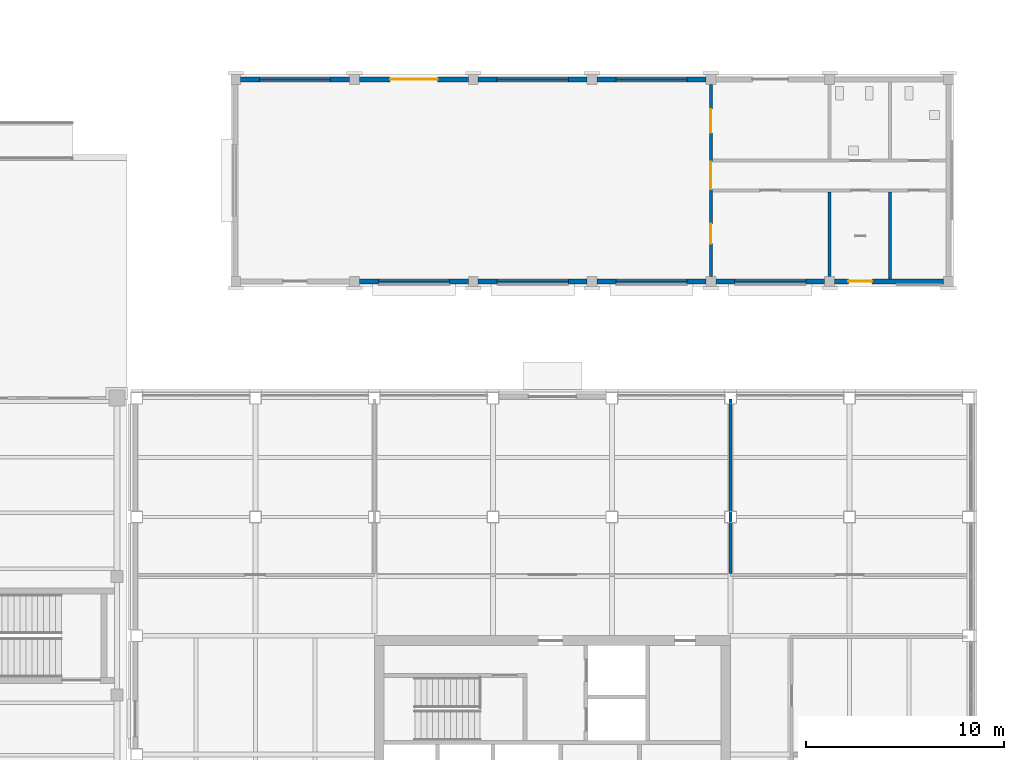
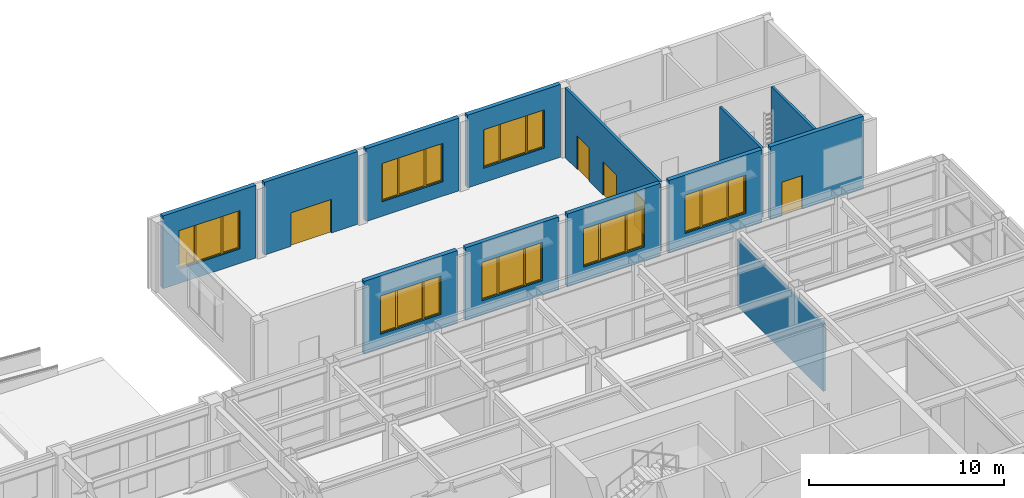
# One storey, part 52 of 77: 13 walls, 7 windows, 5 doors, 12 openings.
"""IFC4 building model written with IfcOpenShell, lengths in metres."""

from ifc_helpers import new_model, si_unit, direction, frame, frame_2d, origin, place, context, subcontext, project, spatial, polyline, rectangle, outline, extrude, material, layer, layer_set, type_object, element, fill, save


model = new_model("IFC4")

# Units and contexts
model_context = context("Model", 3, precision=1e-05, world=origin(), true_north=direction((0.0, 1.0)))
body_context = subcontext(model_context, "Body", "Model", "MODEL_VIEW")
ifc_project = project(units=[si_unit("LENGTHUNIT", "METRE"), si_unit("AREAUNIT", "SQUARE_METRE"), si_unit("VOLUMEUNIT", "CUBIC_METRE"), si_unit("PLANEANGLEUNIT", "RADIAN"), si_unit("MASSUNIT", "GRAM", prefix="KILO")], contexts=[model_context])

# Site, building, storey
site_placement = place(None, origin())
site = spatial("IfcSite", under=ifc_project, at=site_placement, CompositionType="ELEMENT")
building_placement = place(site_placement, origin())
building = spatial("IfcBuilding", under=site, at=building_placement, Name="Aravalli Gate Trade Fair Centre", CompositionType="ELEMENT")
storey_placement = place(building_placement, origin())
storey = spatial("IfcBuildingStorey", under=building, at=storey_placement, Name="L00", CompositionType="ELEMENT", Elevation=0.0)

# Wall, openings, doors
ifc_material_1 = material(Name="Blockwork with fire-rated lining", Category="masonry")
ifc_layer_1 = layer(ifc_material_1, 0.14990234375)
ifc_layer_set_1 = layer_set([ifc_layer_1], Name="Blockwork with fire-rated lining")
wall_type_1 = type_object("IfcWallType", Name="Wing partition 150 (EI 120, compartment wall)", PredefinedType="PARTITIONING", material=ifc_layer_set_1)
wall_1_placement = place(storey_placement, frame((189.0, 139.14990234375, 0.0), z_axis=(0.0, 0.0, 1.0), x_axis=(0.0, 1.0, 0.0)))
wall_1 = element("IfcWall", 1, at=wall_1_placement, inside=storey, type_object=wall_type_1, Name="Partition cafe", PredefinedType="PARTITIONING", context=body_context, shape_type="SweptSolid", body=[
    extrude(rectangle(XDim=9.7001953125, YDim=0.14990234375, at=frame_2d((4.85009765625, 0.0))), origin(), (0.0, 0.0, 1.0), 4.35009765625),
])
opening_1_placement = place(wall_1_placement, frame((4.39990234375, 0.0, 0.0)))
opening_1 = element("IfcOpeningElement", 2, at=opening_1_placement, cuts=wall_1, Name="Opening T-L00-210", PredefinedType="OPENING", context=body_context, shape_type="SweptSolid", body=[
    extrude(rectangle(XDim=1.39990234375, YDim=2.10009765625, at=frame_2d((0.699951171875, 1.050048828125))), frame((0.0, 0.0849609375, 0.0), z_axis=(0.0, -1.0, 0.0), x_axis=(1.0, 0.0, 0.0)), (0.0, 0.0, 1.0), 0.169921875),
])
opening_2_placement = place(wall_1_placement, frame((1.64990234375, 0.0, 0.0)))
opening_2 = element("IfcOpeningElement", 3, at=opening_2_placement, cuts=wall_1, Name="Opening T-L00-211", PredefinedType="OPENING", context=body_context, shape_type="SweptSolid", body=[
    extrude(rectangle(XDim=1.0, YDim=2.10009765625, at=frame_2d((0.5, 1.050048828125))), frame((0.0, 0.0849609375, 0.0), z_axis=(0.0, -1.0, 0.0), x_axis=(1.0, 0.0, 0.0)), (0.0, 0.0, 1.0), 0.169921875),
])
opening_3_placement = place(wall_1_placement, frame((7.25, 0.0, 0.0)))
opening_3 = element("IfcOpeningElement", 4, at=opening_3_placement, cuts=wall_1, Name="Opening T-L00-212", PredefinedType="OPENING", context=body_context, shape_type="SweptSolid", body=[
    extrude(rectangle(XDim=1.199951171875, YDim=2.10009765625, at=frame_2d((0.60009765625, 1.050048828125))), frame((0.0, 0.0849609375, 0.0), z_axis=(0.0, -1.0, 0.0), x_axis=(1.0, 0.0, 0.0)), (0.0, 0.0, 1.0), 0.169921875),
])
ifc_material_2 = material(Name="Timber and steel", Category="steel")
door_type_1 = type_object("IfcDoorType", Name="Wing door 1200 x 2100", OperationType="SINGLE_SWING_LEFT", PredefinedType="DOOR", material=ifc_material_2)
door_1_placement = place(opening_3_placement, origin())
door_1 = element("IfcDoor", 5, at=door_1_placement, inside=storey, type_object=door_type_1, Name="Information door T-L00-212", OperationType="SINGLE_SWING_RIGHT", OverallHeight=2.10009765625, OverallWidth=1.199951171875, PredefinedType="DOOR", context=body_context, shape_type="SweptSolid", body=[
    extrude(rectangle(XDim=1.199951171875, YDim=2.10009765625, at=frame_2d((0.60009765625, 1.050048828125))), frame((0.0, 0.02490234375, 0.0), z_axis=(0.0, -1.0, 0.0), x_axis=(1.0, 0.0, 0.0)), (0.0, 0.0, 1.0), 0.050048828125),
])
fill(opening_3, door_1)
ifc_material_3 = material(Name="Steel, fire rated", Category="steel")
door_type_2 = type_object("IfcDoorType", Name="Wing fire door FD120 1000 x 2100", OperationType="SINGLE_SWING_LEFT", PredefinedType="DOOR", material=ifc_material_3)
door_2_placement = place(opening_2_placement, frame((1.0, 0.0, 0.0), z_axis=(0.0, 0.0, 1.0), x_axis=(-1.0, 0.0, 0.0)))
door_2 = element("IfcDoor", 6, at=door_2_placement, inside=storey, type_object=door_type_2, Name="Kitchen door T-L00-211", OperationType="SINGLE_SWING_LEFT", OverallHeight=2.10009765625, OverallWidth=1.0, PredefinedType="DOOR", context=body_context, shape_type="SweptSolid", body=[
    extrude(rectangle(XDim=1.0, YDim=2.10009765625, at=frame_2d((0.5, 1.050048828125))), frame((0.0, 0.02490234375, 0.0), z_axis=(0.0, -1.0, 0.0), x_axis=(1.0, 0.0, 0.0)), (0.0, 0.0, 1.0), 0.050048828125),
])
fill(opening_2, door_2)
door_type_3 = type_object("IfcDoorType", Name="Wing fire door FD120 1400 x 2100", OperationType="DOUBLE_DOOR_SINGLE_SWING", PredefinedType="DOOR", material=ifc_material_3)
door_3_placement = place(opening_1_placement, origin())
door_3 = element("IfcDoor", 7, at=door_3_placement, inside=storey, type_object=door_type_3, Name="Corridor door T-L00-210", OperationType="DOUBLE_DOOR_SINGLE_SWING", OverallHeight=2.10009765625, OverallWidth=1.39990234375, PredefinedType="DOOR", context=body_context, shape_type="SweptSolid", body=[
    extrude(rectangle(XDim=1.39990234375, YDim=2.10009765625, at=frame_2d((0.699951171875, 1.050048828125))), frame((0.0, 0.02490234375, 0.0), z_axis=(0.0, -1.0, 0.0), x_axis=(1.0, 0.0, 0.0)), (0.0, 0.0, 1.0), 0.050048828125),
])
fill(opening_1, door_3)

# Walls
wall_2_placement = place(storey_placement, frame((195.0, 139.14990234375, 0.0), z_axis=(0.0, 0.0, 1.0), x_axis=(0.0, 1.0, 0.0)))
element("IfcWall", 8, at=wall_2_placement, inside=storey, type_object=wall_type_1, Name="Partition ks", PredefinedType="PARTITIONING", context=body_context, shape_type="SweptSolid", body=[
    extrude(rectangle(XDim=4.275146484375, YDim=0.14990234375, at=frame_2d((2.1376953125, 0.0))), origin(), (0.0, 0.0, 1.0), 4.35009765625),
])
ifc_layer_2 = layer(ifc_material_1, 0.14990234375)
ifc_layer_set_2 = layer_set([ifc_layer_2], Name="Blockwork with fire-rated lining")
wall_type_2 = type_object("IfcWallType", Name="Wing partition 150 (EI 120, plant room)", PredefinedType="PARTITIONING", material=ifc_layer_set_2)
wall_3_placement = place(storey_placement, frame((198.050048828125, 139.02490234375, 0.0), z_axis=(0.0, 0.0, 1.0), x_axis=(0.0, 1.0, 0.0)))
element("IfcWall", 9, at=wall_3_placement, inside=storey, type_object=wall_type_2, Name="Partition sp", PredefinedType="PARTITIONING", context=body_context, shape_type="SweptSolid", body=[
    extrude(rectangle(XDim=4.400146484375, YDim=0.14990234375, at=frame_2d((2.2001953125, 0.0))), origin(), (0.0, 0.0, 1.0), 4.550048828125),
])
ifc_layer_3 = layer(ifc_material_1, 0.14990234375)
ifc_layer_set_3 = layer_set([ifc_layer_3], Name="Blockwork with fire-rated lining")
wall_type_3 = type_object("IfcWallType", Name="Wing partition 150 (EI 60, corridor wall)", PredefinedType="PARTITIONING", material=ifc_layer_set_3)
wall_4_placement = place(storey_placement, frame((190.0, 124.14990234375, 0.0), z_axis=(0.0, 0.0, 1.0), x_axis=(0.0, 1.0, 0.0)))
element("IfcWall", 10, at=wall_4_placement, inside=storey, type_object=wall_type_3, Name="Partition NP2 L00", PredefinedType="PARTITIONING", context=body_context, shape_type="SweptSolid", body=[
    extrude(rectangle(XDim=8.800048828125, YDim=0.14990234375, at=frame_2d((4.39990234375, 0.0))), origin(), (0.0, 0.0, 1.0), 4.199951171875),
])

# Wall, opening, window
ifc_material_4 = material(Name="Concrete block masonry", Category="masonry")
ifc_layer_4 = layer(ifc_material_4, 0.2099609375, Name="Block masonry")
ifc_material_5 = material(Name="Terracotta cladding", Category="masonry")
ifc_layer_5 = layer(ifc_material_5, 0.0400390625, Name="Terracotta cladding")
ifc_layer_set_4 = layer_set([ifc_layer_4, ifc_layer_5], Name="Wing terracotta clad infill wall 250")
wall_type_4 = type_object("IfcWallType", Name="Wing terracotta clad infill wall 250", PredefinedType="SOLIDWALL", material=ifc_layer_set_4)
wall_5_placement = place(storey_placement, frame((171.25, 138.89990234375, 0.0), z_axis=(0.0, 0.0, 1.0), x_axis=(1.0, 0.0, 0.0)))
wall_5 = element("IfcWall", 11, at=wall_5_placement, inside=storey, type_object=wall_type_4, Name="Pavilion wall S2", PredefinedType="SOLIDWALL", context=body_context, shape_type="SweptSolid", body=[
    extrude(rectangle(XDim=5.5, YDim=0.25, at=frame_2d((2.75, 0.0))), origin(), (0.0, 0.0, 1.0), 4.550048828125),
])
opening_4_placement = place(wall_5_placement, frame((0.949951171875, 0.0, 0.89990234375)))
opening_4 = element("IfcOpeningElement", 12, at=opening_4_placement, cuts=wall_5, Name="Opening TWN1", PredefinedType="OPENING", context=body_context, shape_type="SweptSolid", body=[
    extrude(rectangle(XDim=3.60009765625, YDim=2.39990234375, at=frame_2d((1.800048828125, 1.199951171875))), frame((0.0, 0.135009765625, 0.0), z_axis=(0.0, -1.0, 0.0), x_axis=(1.0, 0.0, 0.0)), (0.0, 0.0, 1.0), 0.27001953125),
])
ifc_material_6 = material(Name="Aluminium and glass", Category="aluminium")
window_type = type_object("IfcWindowType", Name="Wing chicago window 3600 x 2400", PartitioningType="TRIPLE_PANEL_VERTICAL", PredefinedType="WINDOW", material=ifc_material_6)
window_1_placement = place(opening_4_placement, origin())
window_1 = element("IfcWindow", 13, at=window_1_placement, inside=storey, type_object=window_type, Name="Pavilion window S2", OverallHeight=2.39990234375, OverallWidth=3.60009765625, PartitioningType="TRIPLE_PANEL_VERTICAL", PredefinedType="WINDOW", context=body_context, shape_type="SweptSolid", body=[
    extrude(outline(polyline([(0.0, 0.0), (3.60009765625, 0.0), (3.60009765625, 2.39990234375), (0.0, 2.39990234375), (0.0, 0.0)]), holes=[polyline([(0.06005859375, 0.06005859375), (0.9599609375, 0.06005859375), (0.9599609375, 2.33984375), (0.06005859375, 2.33984375), (0.06005859375, 0.06005859375)]), polyline([(1.06005859375, 0.06005859375), (2.539794921875, 0.06005859375), (2.539794921875, 2.33984375), (1.06005859375, 2.33984375), (1.06005859375, 0.06005859375)]), polyline([(2.639892578125, 0.06005859375), (3.539794921875, 0.06005859375), (3.539794921875, 2.33984375), (2.639892578125, 2.33984375), (2.639892578125, 0.06005859375)])]), frame((0.0, 0.030029296875, 0.0), z_axis=(0.0, -1.0, 0.0), x_axis=(1.0, 0.0, 0.0)), (0.0, 0.0, 1.0), 0.06005859375),
    extrude(rectangle(XDim=0.923828125, YDim=2.3037109375, at=frame_2d((0.510009765625, 1.199951171875))), frame((0.0, 0.010009765625, 0.0), z_axis=(0.0, -1.0, 0.0), x_axis=(1.0, 0.0, 0.0)), (0.0, 0.0, 1.0), 0.02001953125),
    extrude(rectangle(XDim=1.503662109375, YDim=2.3037109375, at=frame_2d((1.7998046875, 1.199951171875))), frame((0.0, 0.010009765625, 0.0), z_axis=(0.0, -1.0, 0.0), x_axis=(1.0, 0.0, 0.0)), (0.0, 0.0, 1.0), 0.02001953125),
    extrude(rectangle(XDim=0.923828125, YDim=2.3037109375, at=frame_2d((3.08984375, 1.199951171875))), frame((0.0, 0.010009765625, 0.0), z_axis=(0.0, -1.0, 0.0), x_axis=(1.0, 0.0, 0.0)), (0.0, 0.0, 1.0), 0.02001953125),
])
fill(opening_4, window_1)

wall_6_placement = place(storey_placement, frame((177.25, 138.89990234375, 0.0), z_axis=(0.0, 0.0, 1.0), x_axis=(1.0, 0.0, 0.0)))
wall_6 = element("IfcWall", 14, at=wall_6_placement, inside=storey, type_object=wall_type_4, Name="Pavilion wall S3", PredefinedType="SOLIDWALL", context=body_context, shape_type="SweptSolid", body=[
    extrude(rectangle(XDim=5.5, YDim=0.25, at=frame_2d((2.75, 0.0))), origin(), (0.0, 0.0, 1.0), 4.550048828125),
])
opening_5_placement = place(wall_6_placement, frame((0.949951171875, 0.0, 0.89990234375)))
opening_5 = element("IfcOpeningElement", 15, at=opening_5_placement, cuts=wall_6, Name="Opening TWN1", PredefinedType="OPENING", context=body_context, shape_type="SweptSolid", body=[
    extrude(rectangle(XDim=3.60009765625, YDim=2.39990234375, at=frame_2d((1.800048828125, 1.199951171875))), frame((0.0, 0.135009765625, 0.0), z_axis=(0.0, -1.0, 0.0), x_axis=(1.0, 0.0, 0.0)), (0.0, 0.0, 1.0), 0.27001953125),
])
window_2_placement = place(opening_5_placement, origin())
window_2 = element("IfcWindow", 16, at=window_2_placement, inside=storey, type_object=window_type, Name="Pavilion window S3", OverallHeight=2.39990234375, OverallWidth=3.60009765625, PartitioningType="TRIPLE_PANEL_VERTICAL", PredefinedType="WINDOW", context=body_context, shape_type="SweptSolid", body=[
    extrude(outline(polyline([(0.0, 0.0), (3.60009765625, 0.0), (3.60009765625, 2.39990234375), (0.0, 2.39990234375), (0.0, 0.0)]), holes=[polyline([(0.06005859375, 0.06005859375), (0.9599609375, 0.06005859375), (0.9599609375, 2.33984375), (0.06005859375, 2.33984375), (0.06005859375, 0.06005859375)]), polyline([(1.06005859375, 0.06005859375), (2.539794921875, 0.06005859375), (2.539794921875, 2.33984375), (1.06005859375, 2.33984375), (1.06005859375, 0.06005859375)]), polyline([(2.639892578125, 0.06005859375), (3.539794921875, 0.06005859375), (3.539794921875, 2.33984375), (2.639892578125, 2.33984375), (2.639892578125, 0.06005859375)])]), frame((0.0, 0.030029296875, 0.0), z_axis=(0.0, -1.0, 0.0), x_axis=(1.0, 0.0, 0.0)), (0.0, 0.0, 1.0), 0.06005859375),
    extrude(rectangle(XDim=0.923828125, YDim=2.3037109375, at=frame_2d((0.510009765625, 1.199951171875))), frame((0.0, 0.010009765625, 0.0), z_axis=(0.0, -1.0, 0.0), x_axis=(1.0, 0.0, 0.0)), (0.0, 0.0, 1.0), 0.02001953125),
    extrude(rectangle(XDim=1.503662109375, YDim=2.3037109375, at=frame_2d((1.7998046875, 1.199951171875))), frame((0.0, 0.010009765625, 0.0), z_axis=(0.0, -1.0, 0.0), x_axis=(1.0, 0.0, 0.0)), (0.0, 0.0, 1.0), 0.02001953125),
    extrude(rectangle(XDim=0.923828125, YDim=2.3037109375, at=frame_2d((3.08984375, 1.199951171875))), frame((0.0, 0.010009765625, 0.0), z_axis=(0.0, -1.0, 0.0), x_axis=(1.0, 0.0, 0.0)), (0.0, 0.0, 1.0), 0.02001953125),
])
fill(opening_5, window_2)

wall_7_placement = place(storey_placement, frame((183.25, 138.89990234375, 0.0), z_axis=(0.0, 0.0, 1.0), x_axis=(1.0, 0.0, 0.0)))
wall_7 = element("IfcWall", 17, at=wall_7_placement, inside=storey, type_object=wall_type_4, Name="Pavilion wall S4", PredefinedType="SOLIDWALL", context=body_context, shape_type="SweptSolid", body=[
    extrude(rectangle(XDim=5.5, YDim=0.25, at=frame_2d((2.75, 0.0))), origin(), (0.0, 0.0, 1.0), 4.550048828125),
])
opening_6_placement = place(wall_7_placement, frame((0.949951171875, 0.0, 0.89990234375)))
opening_6 = element("IfcOpeningElement", 18, at=opening_6_placement, cuts=wall_7, Name="Opening TWN1", PredefinedType="OPENING", context=body_context, shape_type="SweptSolid", body=[
    extrude(rectangle(XDim=3.60009765625, YDim=2.39990234375, at=frame_2d((1.800048828125, 1.199951171875))), frame((0.0, 0.135009765625, 0.0), z_axis=(0.0, -1.0, 0.0), x_axis=(1.0, 0.0, 0.0)), (0.0, 0.0, 1.0), 0.27001953125),
])
window_3_placement = place(opening_6_placement, origin())
window_3 = element("IfcWindow", 19, at=window_3_placement, inside=storey, type_object=window_type, Name="Pavilion window S4", OverallHeight=2.39990234375, OverallWidth=3.60009765625, PartitioningType="TRIPLE_PANEL_VERTICAL", PredefinedType="WINDOW", context=body_context, shape_type="SweptSolid", body=[
    extrude(outline(polyline([(0.0, 0.0), (3.60009765625, 0.0), (3.60009765625, 2.39990234375), (0.0, 2.39990234375), (0.0, 0.0)]), holes=[polyline([(0.06005859375, 0.06005859375), (0.9599609375, 0.06005859375), (0.9599609375, 2.33984375), (0.06005859375, 2.33984375), (0.06005859375, 0.06005859375)]), polyline([(1.06005859375, 0.06005859375), (2.539794921875, 0.06005859375), (2.539794921875, 2.33984375), (1.06005859375, 2.33984375), (1.06005859375, 0.06005859375)]), polyline([(2.639892578125, 0.06005859375), (3.539794921875, 0.06005859375), (3.539794921875, 2.33984375), (2.639892578125, 2.33984375), (2.639892578125, 0.06005859375)])]), frame((0.0, 0.030029296875, 0.0), z_axis=(0.0, -1.0, 0.0), x_axis=(1.0, 0.0, 0.0)), (0.0, 0.0, 1.0), 0.06005859375),
    extrude(rectangle(XDim=0.923828125, YDim=2.3037109375, at=frame_2d((0.510009765625, 1.199951171875))), frame((0.0, 0.010009765625, 0.0), z_axis=(0.0, -1.0, 0.0), x_axis=(1.0, 0.0, 0.0)), (0.0, 0.0, 1.0), 0.02001953125),
    extrude(rectangle(XDim=1.503662109375, YDim=2.3037109375, at=frame_2d((1.7998046875, 1.199951171875))), frame((0.0, 0.010009765625, 0.0), z_axis=(0.0, -1.0, 0.0), x_axis=(1.0, 0.0, 0.0)), (0.0, 0.0, 1.0), 0.02001953125),
    extrude(rectangle(XDim=0.923828125, YDim=2.3037109375, at=frame_2d((3.08984375, 1.199951171875))), frame((0.0, 0.010009765625, 0.0), z_axis=(0.0, -1.0, 0.0), x_axis=(1.0, 0.0, 0.0)), (0.0, 0.0, 1.0), 0.02001953125),
])
fill(opening_6, window_3)

wall_8_placement = place(storey_placement, frame((189.25, 138.89990234375, 0.0), z_axis=(0.0, 0.0, 1.0), x_axis=(1.0, 0.0, 0.0)))
wall_8 = element("IfcWall", 20, at=wall_8_placement, inside=storey, type_object=wall_type_4, Name="Pavilion wall S5", PredefinedType="SOLIDWALL", context=body_context, shape_type="SweptSolid", body=[
    extrude(rectangle(XDim=5.5, YDim=0.25, at=frame_2d((2.75, 0.0))), origin(), (0.0, 0.0, 1.0), 4.550048828125),
])
opening_7_placement = place(wall_8_placement, frame((0.949951171875, 0.0, 0.89990234375)))
opening_7 = element("IfcOpeningElement", 21, at=opening_7_placement, cuts=wall_8, Name="Opening TWN1", PredefinedType="OPENING", context=body_context, shape_type="SweptSolid", body=[
    extrude(rectangle(XDim=3.60009765625, YDim=2.39990234375, at=frame_2d((1.800048828125, 1.199951171875))), frame((0.0, 0.135009765625, 0.0), z_axis=(0.0, -1.0, 0.0), x_axis=(1.0, 0.0, 0.0)), (0.0, 0.0, 1.0), 0.27001953125),
])
window_4_placement = place(opening_7_placement, origin())
window_4 = element("IfcWindow", 22, at=window_4_placement, inside=storey, type_object=window_type, Name="Pavilion window S5", OverallHeight=2.39990234375, OverallWidth=3.60009765625, PartitioningType="TRIPLE_PANEL_VERTICAL", PredefinedType="WINDOW", context=body_context, shape_type="SweptSolid", body=[
    extrude(outline(polyline([(0.0, 0.0), (3.60009765625, 0.0), (3.60009765625, 2.39990234375), (0.0, 2.39990234375), (0.0, 0.0)]), holes=[polyline([(0.06005859375, 0.06005859375), (0.9599609375, 0.06005859375), (0.9599609375, 2.33984375), (0.06005859375, 2.33984375), (0.06005859375, 0.06005859375)]), polyline([(1.06005859375, 0.06005859375), (2.539794921875, 0.06005859375), (2.539794921875, 2.33984375), (1.06005859375, 2.33984375), (1.06005859375, 0.06005859375)]), polyline([(2.639892578125, 0.06005859375), (3.539794921875, 0.06005859375), (3.539794921875, 2.33984375), (2.639892578125, 2.33984375), (2.639892578125, 0.06005859375)])]), frame((0.0, 0.030029296875, 0.0), z_axis=(0.0, -1.0, 0.0), x_axis=(1.0, 0.0, 0.0)), (0.0, 0.0, 1.0), 0.06005859375),
    extrude(rectangle(XDim=0.923828125, YDim=2.3037109375, at=frame_2d((0.510009765625, 1.199951171875))), frame((0.0, 0.010009765625, 0.0), z_axis=(0.0, -1.0, 0.0), x_axis=(1.0, 0.0, 0.0)), (0.0, 0.0, 1.0), 0.02001953125),
    extrude(rectangle(XDim=1.503662109375, YDim=2.3037109375, at=frame_2d((1.7998046875, 1.199951171875))), frame((0.0, 0.010009765625, 0.0), z_axis=(0.0, -1.0, 0.0), x_axis=(1.0, 0.0, 0.0)), (0.0, 0.0, 1.0), 0.02001953125),
    extrude(rectangle(XDim=0.923828125, YDim=2.3037109375, at=frame_2d((3.08984375, 1.199951171875))), frame((0.0, 0.010009765625, 0.0), z_axis=(0.0, -1.0, 0.0), x_axis=(1.0, 0.0, 0.0)), (0.0, 0.0, 1.0), 0.02001953125),
])
fill(opening_7, window_4)

# Wall, opening, door
wall_9_placement = place(storey_placement, frame((195.25, 138.89990234375, 0.0), z_axis=(0.0, 0.0, 1.0), x_axis=(1.0, 0.0, 0.0)))
wall_9 = element("IfcWall", 23, at=wall_9_placement, inside=storey, type_object=wall_type_4, Name="Pavilion wall S6", PredefinedType="SOLIDWALL", context=body_context, shape_type="SweptSolid", body=[
    extrude(rectangle(XDim=5.5, YDim=0.25, at=frame_2d((2.75, 0.0))), origin(), (0.0, 0.0, 1.0), 4.550048828125),
])
opening_8_placement = place(wall_9_placement, frame((0.699951171875, 0.0, 0.0)))
opening_8 = element("IfcOpeningElement", 24, at=opening_8_placement, cuts=wall_9, Name="Opening T-L00-204", PredefinedType="OPENING", context=body_context, shape_type="SweptSolid", body=[
    extrude(rectangle(XDim=1.199951171875, YDim=2.10009765625, at=frame_2d((0.60009765625, 1.050048828125))), frame((0.0, 0.135009765625, 0.0), z_axis=(0.0, -1.0, 0.0), x_axis=(1.0, 0.0, 0.0)), (0.0, 0.0, 1.0), 0.27001953125),
])
door_4_placement = place(opening_8_placement, frame((1.199951171875, 0.0, 0.0), z_axis=(0.0, 0.0, 1.0), x_axis=(-1.0, 0.0, 0.0)))
door_4 = element("IfcDoor", 25, at=door_4_placement, inside=storey, type_object=door_type_1, Name="Service door T-L00-204", OperationType="SINGLE_SWING_LEFT", OverallHeight=2.10009765625, OverallWidth=1.199951171875, PredefinedType="DOOR", context=body_context, shape_type="SweptSolid", body=[
    extrude(rectangle(XDim=1.199951171875, YDim=2.10009765625, at=frame_2d((0.60009765625, 1.050048828125))), frame((0.0, 0.02490234375, 0.0), z_axis=(0.0, -1.0, 0.0), x_axis=(1.0, 0.0, 0.0)), (0.0, 0.0, 1.0), 0.050048828125),
])
fill(opening_8, door_4)

# Wall, opening, window
wall_10_placement = place(storey_placement, frame((165.25, 149.10009765625, 0.0), z_axis=(0.0, 0.0, 1.0), x_axis=(1.0, 0.0, 0.0)))
wall_10 = element("IfcWall", 26, at=wall_10_placement, inside=storey, type_object=wall_type_4, Name="Pavilion wall N1", PredefinedType="SOLIDWALL", context=body_context, shape_type="SweptSolid", body=[
    extrude(rectangle(XDim=5.5, YDim=0.25, at=frame_2d((2.75, 0.0))), origin(), (0.0, 0.0, 1.0), 4.550048828125),
])
opening_9_placement = place(wall_10_placement, frame((0.949951171875, 0.0, 0.89990234375)))
opening_9 = element("IfcOpeningElement", 27, at=opening_9_placement, cuts=wall_10, Name="Opening TWN1", PredefinedType="OPENING", context=body_context, shape_type="SweptSolid", body=[
    extrude(rectangle(XDim=3.60009765625, YDim=2.39990234375, at=frame_2d((1.800048828125, 1.199951171875))), frame((0.0, 0.135009765625, 0.0), z_axis=(0.0, -1.0, 0.0), x_axis=(1.0, 0.0, 0.0)), (0.0, 0.0, 1.0), 0.27001953125),
])
window_5_placement = place(opening_9_placement, origin())
window_5 = element("IfcWindow", 28, at=window_5_placement, inside=storey, type_object=window_type, Name="Pavilion window N1", OverallHeight=2.39990234375, OverallWidth=3.60009765625, PartitioningType="TRIPLE_PANEL_VERTICAL", PredefinedType="WINDOW", context=body_context, shape_type="SweptSolid", body=[
    extrude(outline(polyline([(0.0, 0.0), (3.60009765625, 0.0), (3.60009765625, 2.39990234375), (0.0, 2.39990234375), (0.0, 0.0)]), holes=[polyline([(0.06005859375, 0.06005859375), (0.9599609375, 0.06005859375), (0.9599609375, 2.33984375), (0.06005859375, 2.33984375), (0.06005859375, 0.06005859375)]), polyline([(1.06005859375, 0.06005859375), (2.539794921875, 0.06005859375), (2.539794921875, 2.33984375), (1.06005859375, 2.33984375), (1.06005859375, 0.06005859375)]), polyline([(2.639892578125, 0.06005859375), (3.539794921875, 0.06005859375), (3.539794921875, 2.33984375), (2.639892578125, 2.33984375), (2.639892578125, 0.06005859375)])]), frame((0.0, 0.030029296875, 0.0), z_axis=(0.0, -1.0, 0.0), x_axis=(1.0, 0.0, 0.0)), (0.0, 0.0, 1.0), 0.06005859375),
    extrude(rectangle(XDim=0.923828125, YDim=2.3037109375, at=frame_2d((0.510009765625, 1.199951171875))), frame((0.0, 0.010009765625, 0.0), z_axis=(0.0, -1.0, 0.0), x_axis=(1.0, 0.0, 0.0)), (0.0, 0.0, 1.0), 0.02001953125),
    extrude(rectangle(XDim=1.503662109375, YDim=2.3037109375, at=frame_2d((1.7998046875, 1.199951171875))), frame((0.0, 0.010009765625, 0.0), z_axis=(0.0, -1.0, 0.0), x_axis=(1.0, 0.0, 0.0)), (0.0, 0.0, 1.0), 0.02001953125),
    extrude(rectangle(XDim=0.923828125, YDim=2.3037109375, at=frame_2d((3.08984375, 1.199951171875))), frame((0.0, 0.010009765625, 0.0), z_axis=(0.0, -1.0, 0.0), x_axis=(1.0, 0.0, 0.0)), (0.0, 0.0, 1.0), 0.02001953125),
])
fill(opening_9, window_5)

# Wall, opening, door
wall_11_placement = place(storey_placement, frame((171.25, 149.10009765625, 0.0), z_axis=(0.0, 0.0, 1.0), x_axis=(1.0, 0.0, 0.0)))
wall_11 = element("IfcWall", 29, at=wall_11_placement, inside=storey, type_object=wall_type_4, Name="Pavilion wall N2", PredefinedType="SOLIDWALL", context=body_context, shape_type="SweptSolid", body=[
    extrude(rectangle(XDim=5.5, YDim=0.25, at=frame_2d((2.75, 0.0))), origin(), (0.0, 0.0, 1.0), 4.550048828125),
])
opening_10_placement = place(wall_11_placement, frame((1.550048828125, 0.0, 0.0)))
opening_10 = element("IfcOpeningElement", 30, at=opening_10_placement, cuts=wall_11, Name="Opening T-L00-201", PredefinedType="OPENING", context=body_context, shape_type="SweptSolid", body=[
    extrude(rectangle(XDim=2.39990234375, YDim=2.10009765625, at=frame_2d((1.199951171875, 1.050048828125))), frame((0.0, 0.135009765625, 0.0), z_axis=(0.0, -1.0, 0.0), x_axis=(1.0, 0.0, 0.0)), (0.0, 0.0, 1.0), 0.27001953125),
])
door_type_4 = type_object("IfcDoorType", Name="Wing glazed entrance door 2400 x 2100", OperationType="DOUBLE_DOOR_SINGLE_SWING", PredefinedType="DOOR", material=ifc_material_6)
door_5_placement = place(opening_10_placement, origin())
door_5 = element("IfcDoor", 31, at=door_5_placement, inside=storey, type_object=door_type_4, Name="Cafe entrance T-L00-201", OperationType="DOUBLE_DOOR_SINGLE_SWING", OverallHeight=2.10009765625, OverallWidth=2.39990234375, PredefinedType="DOOR", context=body_context, shape_type="SweptSolid", body=[
    extrude(rectangle(XDim=2.39990234375, YDim=2.10009765625, at=frame_2d((1.199951171875, 1.050048828125))), frame((0.0, 0.02490234375, 0.0), z_axis=(0.0, -1.0, 0.0), x_axis=(1.0, 0.0, 0.0)), (0.0, 0.0, 1.0), 0.050048828125),
])
fill(opening_10, door_5)

# Wall, opening, window
wall_12_placement = place(storey_placement, frame((177.25, 149.10009765625, 0.0), z_axis=(0.0, 0.0, 1.0), x_axis=(1.0, 0.0, 0.0)))
wall_12 = element("IfcWall", 32, at=wall_12_placement, inside=storey, type_object=wall_type_4, Name="Pavilion wall N3", PredefinedType="SOLIDWALL", context=body_context, shape_type="SweptSolid", body=[
    extrude(rectangle(XDim=5.5, YDim=0.25, at=frame_2d((2.75, 0.0))), origin(), (0.0, 0.0, 1.0), 4.550048828125),
])
opening_11_placement = place(wall_12_placement, frame((0.949951171875, 0.0, 0.89990234375)))
opening_11 = element("IfcOpeningElement", 33, at=opening_11_placement, cuts=wall_12, Name="Opening TWN1", PredefinedType="OPENING", context=body_context, shape_type="SweptSolid", body=[
    extrude(rectangle(XDim=3.60009765625, YDim=2.39990234375, at=frame_2d((1.800048828125, 1.199951171875))), frame((0.0, 0.135009765625, 0.0), z_axis=(0.0, -1.0, 0.0), x_axis=(1.0, 0.0, 0.0)), (0.0, 0.0, 1.0), 0.27001953125),
])
window_6_placement = place(opening_11_placement, origin())
window_6 = element("IfcWindow", 34, at=window_6_placement, inside=storey, type_object=window_type, Name="Pavilion window N3", OverallHeight=2.39990234375, OverallWidth=3.60009765625, PartitioningType="TRIPLE_PANEL_VERTICAL", PredefinedType="WINDOW", context=body_context, shape_type="SweptSolid", body=[
    extrude(outline(polyline([(0.0, 0.0), (3.60009765625, 0.0), (3.60009765625, 2.39990234375), (0.0, 2.39990234375), (0.0, 0.0)]), holes=[polyline([(0.06005859375, 0.06005859375), (0.9599609375, 0.06005859375), (0.9599609375, 2.33984375), (0.06005859375, 2.33984375), (0.06005859375, 0.06005859375)]), polyline([(1.06005859375, 0.06005859375), (2.539794921875, 0.06005859375), (2.539794921875, 2.33984375), (1.06005859375, 2.33984375), (1.06005859375, 0.06005859375)]), polyline([(2.639892578125, 0.06005859375), (3.539794921875, 0.06005859375), (3.539794921875, 2.33984375), (2.639892578125, 2.33984375), (2.639892578125, 0.06005859375)])]), frame((0.0, 0.030029296875, 0.0), z_axis=(0.0, -1.0, 0.0), x_axis=(1.0, 0.0, 0.0)), (0.0, 0.0, 1.0), 0.06005859375),
    extrude(rectangle(XDim=0.923828125, YDim=2.3037109375, at=frame_2d((0.510009765625, 1.199951171875))), frame((0.0, 0.010009765625, 0.0), z_axis=(0.0, -1.0, 0.0), x_axis=(1.0, 0.0, 0.0)), (0.0, 0.0, 1.0), 0.02001953125),
    extrude(rectangle(XDim=1.503662109375, YDim=2.3037109375, at=frame_2d((1.7998046875, 1.199951171875))), frame((0.0, 0.010009765625, 0.0), z_axis=(0.0, -1.0, 0.0), x_axis=(1.0, 0.0, 0.0)), (0.0, 0.0, 1.0), 0.02001953125),
    extrude(rectangle(XDim=0.923828125, YDim=2.3037109375, at=frame_2d((3.08984375, 1.199951171875))), frame((0.0, 0.010009765625, 0.0), z_axis=(0.0, -1.0, 0.0), x_axis=(1.0, 0.0, 0.0)), (0.0, 0.0, 1.0), 0.02001953125),
])
fill(opening_11, window_6)

wall_13_placement = place(storey_placement, frame((183.25, 149.10009765625, 0.0), z_axis=(0.0, 0.0, 1.0), x_axis=(1.0, 0.0, 0.0)))
wall_13 = element("IfcWall", 35, at=wall_13_placement, inside=storey, type_object=wall_type_4, Name="Pavilion wall N4", PredefinedType="SOLIDWALL", context=body_context, shape_type="SweptSolid", body=[
    extrude(rectangle(XDim=5.5, YDim=0.25, at=frame_2d((2.75, 0.0))), origin(), (0.0, 0.0, 1.0), 4.550048828125),
])
opening_12_placement = place(wall_13_placement, frame((0.949951171875, 0.0, 0.89990234375)))
opening_12 = element("IfcOpeningElement", 36, at=opening_12_placement, cuts=wall_13, Name="Opening TWN1", PredefinedType="OPENING", context=body_context, shape_type="SweptSolid", body=[
    extrude(rectangle(XDim=3.60009765625, YDim=2.39990234375, at=frame_2d((1.800048828125, 1.199951171875))), frame((0.0, 0.135009765625, 0.0), z_axis=(0.0, -1.0, 0.0), x_axis=(1.0, 0.0, 0.0)), (0.0, 0.0, 1.0), 0.27001953125),
])
window_7_placement = place(opening_12_placement, origin())
window_7 = element("IfcWindow", 37, at=window_7_placement, inside=storey, type_object=window_type, Name="Pavilion window N4", OverallHeight=2.39990234375, OverallWidth=3.60009765625, PartitioningType="TRIPLE_PANEL_VERTICAL", PredefinedType="WINDOW", context=body_context, shape_type="SweptSolid", body=[
    extrude(outline(polyline([(0.0, 0.0), (3.60009765625, 0.0), (3.60009765625, 2.39990234375), (0.0, 2.39990234375), (0.0, 0.0)]), holes=[polyline([(0.06005859375, 0.06005859375), (0.9599609375, 0.06005859375), (0.9599609375, 2.33984375), (0.06005859375, 2.33984375), (0.06005859375, 0.06005859375)]), polyline([(1.06005859375, 0.06005859375), (2.539794921875, 0.06005859375), (2.539794921875, 2.33984375), (1.06005859375, 2.33984375), (1.06005859375, 0.06005859375)]), polyline([(2.639892578125, 0.06005859375), (3.539794921875, 0.06005859375), (3.539794921875, 2.33984375), (2.639892578125, 2.33984375), (2.639892578125, 0.06005859375)])]), frame((0.0, 0.030029296875, 0.0), z_axis=(0.0, -1.0, 0.0), x_axis=(1.0, 0.0, 0.0)), (0.0, 0.0, 1.0), 0.06005859375),
    extrude(rectangle(XDim=0.923828125, YDim=2.3037109375, at=frame_2d((0.510009765625, 1.199951171875))), frame((0.0, 0.010009765625, 0.0), z_axis=(0.0, -1.0, 0.0), x_axis=(1.0, 0.0, 0.0)), (0.0, 0.0, 1.0), 0.02001953125),
    extrude(rectangle(XDim=1.503662109375, YDim=2.3037109375, at=frame_2d((1.7998046875, 1.199951171875))), frame((0.0, 0.010009765625, 0.0), z_axis=(0.0, -1.0, 0.0), x_axis=(1.0, 0.0, 0.0)), (0.0, 0.0, 1.0), 0.02001953125),
    extrude(rectangle(XDim=0.923828125, YDim=2.3037109375, at=frame_2d((3.08984375, 1.199951171875))), frame((0.0, 0.010009765625, 0.0), z_axis=(0.0, -1.0, 0.0), x_axis=(1.0, 0.0, 0.0)), (0.0, 0.0, 1.0), 0.02001953125),
])
fill(opening_12, window_7)

save(model, "model.ifc")
